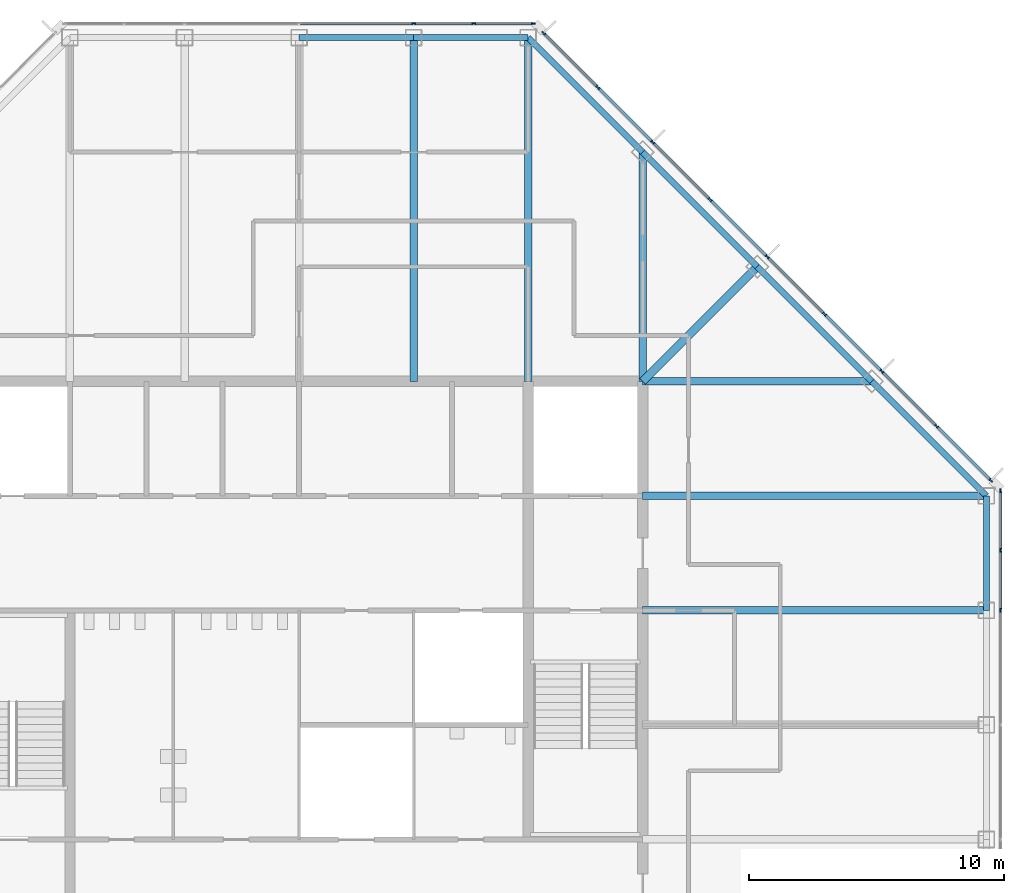
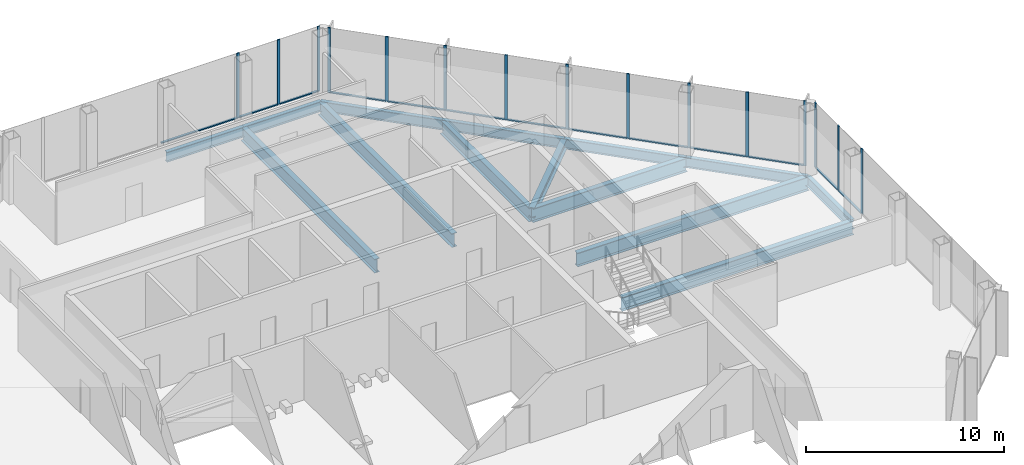
# One storey, part 7 of 13: 28 members, 14 beams, 3 elements without a shape of their own.
"""IFC4 building model written with IfcOpenShell, lengths in metres."""

from ifc_helpers import new_model, si_unit, direction, frame, origin, origin_2d, place, context, subcontext, project, spatial, rectangle, i_section, extrude, material, material_profile, profile_set, type_object, element, aggregate, save


model = new_model("IFC4")

# Units and contexts
model_context = context("Model", 3, precision=1e-05, world=origin(), true_north=direction((0.0, 1.0)))
body_context = subcontext(model_context, "Body", "Model", "MODEL_VIEW")
ifc_project = project(units=[si_unit("LENGTHUNIT", "METRE"), si_unit("AREAUNIT", "SQUARE_METRE"), si_unit("VOLUMEUNIT", "CUBIC_METRE"), si_unit("PLANEANGLEUNIT", "RADIAN"), si_unit("MASSUNIT", "GRAM", prefix="KILO")], contexts=[model_context])

# Site, building, storey
site_placement = place(None, origin())
site = spatial("IfcSite", under=ifc_project, at=site_placement, CompositionType="ELEMENT")
building_placement = place(site_placement, origin())
building = spatial("IfcBuilding", under=site, at=building_placement, Name="Corais Broadcast Tower", CompositionType="ELEMENT")
storey_placement = place(building_placement, frame((0.0, 0.0, 242.60009765625)))
storey = spatial("IfcBuildingStorey", under=building, at=storey_placement, Name="L56", CompositionType="ELEMENT", Elevation=242.60009765625)

# Beams
ifc_material_1 = material(Name="Steel ASTM A572 Grade 50", Category="steel")
ifc_material_profile_1 = material_profile(ifc_material_1, i_section(OverallWidth=0.323974609375, OverallDepth=0.611083984375, WebThickness=0.0126953125, FlangeThickness=0.01904296875, at=origin_2d()), Name="W610x155")
ifc_profile_set_1 = profile_set([ifc_material_profile_1], Name="Steel ASTM A572 Grade 50")
beam_type_1 = type_object("IfcBeamType", Name="Corner diagonal W610x155", PredefinedType="BEAM", material=ifc_profile_set_1)
beam_1_placement = place(storey_placement, frame((45.0, 45.0, -0.465576171875), z_axis=(-0.707106781187, -0.707106781187, 0.0), x_axis=(0.707106781187, -0.707106781187, 0.0)))
element("IfcBeam", 1, at=beam_1_placement, inside=storey, type_object=beam_type_1, Name="B6 L/13 to K/12", PredefinedType="BEAM", context=body_context, shape_type="SweptSolid", body=[
    extrude(i_section(OverallWidth=0.323974609375, OverallDepth=0.611083984375, WebThickness=0.0126953125, FlangeThickness=0.01904296875, at=origin_2d()), origin(), (0.0, 0.0, 1.0), 6.364013671875),
])
ifc_material_2 = material(Name="Steel ASTM A572 Grade 50", Category="steel")
ifc_material_profile_2 = material_profile(ifc_material_2, i_section(OverallWidth=0.2939453125, OverallDepth=0.85107421875, WebThickness=0.01611328125, FlangeThickness=0.02685546875, at=origin_2d()), Name="W840x226")
ifc_profile_set_2 = profile_set([ifc_material_profile_2], Name="Steel ASTM A572 Grade 50")
beam_type_2 = type_object("IfcBeamType", Name="Floor beam W840x226", PredefinedType="BEAM", material=ifc_profile_set_2)
for number, where, z_axis, x_axis, name in (
    (2, (31.5, 54.0, -0.585693359375), (0.0, -1.0, 0.0), (1.0, 0.0, 0.0), "B1 N/10 to K/10"),
    (3, (36.0, 54.0, -0.585693359375), (0.0, -1.0, 0.0), (1.0, 0.0, 0.0), "B1 N/11 to K/11"),
):
    element("IfcBeam", number, at=place(storey_placement, frame(where, z_axis=z_axis, x_axis=x_axis)), inside=storey, type_object=beam_type_2, Name=name, PredefinedType="BEAM", context=body_context, shape_type="SweptSolid", body=[
        extrude(i_section(OverallWidth=0.2939453125, OverallDepth=0.85107421875, WebThickness=0.01611328125, FlangeThickness=0.02685546875, at=origin_2d()), origin(), (0.0, 0.0, 1.0), 13.5),
    ])
for number, where, z_axis, x_axis, name in (
    (4, (40.5, 49.5, -0.585693359375), (0.0, -1.0, 0.0), (1.0, 0.0, 0.0), "B1 M/12 to K/12"),
    (5, (49.5, 40.5, -0.585693359375), (-1.0, 0.0, 0.0), (0.0, -1.0, 0.0), "B1 K/14 to K/12"),
):
    element("IfcBeam", number, at=place(storey_placement, frame(where, z_axis=z_axis, x_axis=x_axis)), inside=storey, type_object=beam_type_2, Name=name, PredefinedType="BEAM", context=body_context, shape_type="SweptSolid", body=[
        extrude(i_section(OverallWidth=0.2939453125, OverallDepth=0.85107421875, WebThickness=0.01611328125, FlangeThickness=0.02685546875, at=origin_2d()), origin(), (0.0, 0.0, 1.0), 9.0),
    ])
for number, where, z_axis, x_axis, name in (
    (6, (54.0, 31.5, -0.585693359375), (-1.0, 0.0, 0.0), (0.0, -1.0, 0.0), "B1 H/15 to H/12"),
    (7, (54.0, 36.0, -0.585693359375), (-1.0, 0.0, 0.0), (0.0, -1.0, 0.0), "B1 J/15 to J/12"),
):
    element("IfcBeam", number, at=place(storey_placement, frame(where, z_axis=z_axis, x_axis=x_axis)), inside=storey, type_object=beam_type_2, Name=name, PredefinedType="BEAM", context=body_context, shape_type="SweptSolid", body=[
        extrude(i_section(OverallWidth=0.2939453125, OverallDepth=0.85107421875, WebThickness=0.01611328125, FlangeThickness=0.02685546875, at=origin_2d()), origin(), (0.0, 0.0, 1.0), 13.5),
    ])

# Curtain wall, members
ifc_material_3 = material(Name="Aluminium and glass", Category="aluminium")
curtain_wall_type = type_object("IfcCurtainWallType", Name="Unitised fritted curtain wall CW3", PredefinedType="NOTDEFINED", material=ifc_material_3)
curtain_wall_1_placement = place(storey_placement, origin())
curtain_wall_1 = element("IfcCurtainWall", 8, at=curtain_wall_1_placement, inside=storey, type_object=curtain_wall_type, Name="CW3 curtain wall L56 4", PredefinedType="NOTDEFINED")
ifc_material_4 = material(Name="Aluminium 6063-T6", Category="aluminium")
ifc_material_profile_3 = material_profile(ifc_material_4, rectangle(XDim=0.06494140625, YDim=0.159912109375, at=origin_2d()), Name="Mullion CW3 65x160")
ifc_profile_set_3 = profile_set([ifc_material_profile_3], Name="Aluminium 6063-T6")
member_type_1 = type_object("IfcMemberType", Name="Mullion CW3 65x160", PredefinedType="MULLION", material=ifc_profile_set_3)
member_1_placement = place(storey_placement, frame((31.5, 54.550048828125, 0.0), z_axis=(0.0, 0.0, 1.0), x_axis=(0.0, 1.0, 0.0)))
member_1 = element("IfcMember", 9, at=member_1_placement, type_object=member_type_1, Name="CW3 mullion 5", PredefinedType="MULLION", context=body_context, shape_type="SweptSolid", body=[
    extrude(rectangle(XDim=0.06494140625, YDim=0.159912109375, at=origin_2d()), origin(), (0.0, 0.0, 1.0), 4.0),
])
member_2_placement = place(storey_placement, frame((33.864013671875, 54.550048828125, 0.0), z_axis=(0.0, 0.0, 1.0), x_axis=(0.0, 1.0, 0.0)))
member_2 = element("IfcMember", 10, at=member_2_placement, type_object=member_type_1, Name="CW3 mullion 6", PredefinedType="MULLION", context=body_context, shape_type="SweptSolid", body=[
    extrude(rectangle(XDim=0.06494140625, YDim=0.159912109375, at=origin_2d()), origin(), (0.0, 0.0, 1.0), 4.0),
])
member_3_placement = place(storey_placement, frame((36.1953125, 54.550048828125, 0.0), z_axis=(0.0, 0.0, 1.0), x_axis=(0.0, 1.0, 0.0)))
member_3 = element("IfcMember", 11, at=member_3_placement, type_object=member_type_1, Name="CW3 mullion 7", PredefinedType="MULLION", context=body_context, shape_type="SweptSolid", body=[
    extrude(rectangle(XDim=0.06494140625, YDim=0.159912109375, at=origin_2d()), origin(), (0.0, 0.0, 1.0), 4.0),
])

curtain_wall_2_placement = place(storey_placement, origin())
curtain_wall_2 = element("IfcCurtainWall", 12, at=curtain_wall_2_placement, inside=storey, type_object=curtain_wall_type, Name="CW3 curtain wall L56 5", PredefinedType="NOTDEFINED")
member_4_placement = place(storey_placement, frame((36.6044921875, 54.17333984375, 0.0), z_axis=(0.0, 0.0, 1.0), x_axis=(0.707106781187, 0.707106781187, 0.0)))
member_4 = element("IfcMember", 13, at=member_4_placement, type_object=member_type_1, Name="CW3 mullion 1", PredefinedType="MULLION", context=body_context, shape_type="SweptSolid", body=[
    extrude(rectangle(XDim=0.06494140625, YDim=0.159912109375, at=origin_2d()), origin(), (0.0, 0.0, 1.0), 4.0),
])
member_5_placement = place(storey_placement, frame((38.735107421875, 52.042724609375, 0.0), z_axis=(0.0, 0.0, 1.0), x_axis=(0.707106781187, 0.707106781187, 0.0)))
member_5 = element("IfcMember", 14, at=member_5_placement, type_object=member_type_1, Name="CW3 mullion 2", PredefinedType="MULLION", context=body_context, shape_type="SweptSolid", body=[
    extrude(rectangle(XDim=0.06494140625, YDim=0.159912109375, at=origin_2d()), origin(), (0.0, 0.0, 1.0), 4.0),
])
member_6_placement = place(storey_placement, frame((40.888916015625, 49.888916015625, 0.0), z_axis=(0.0, 0.0, 1.0), x_axis=(0.707106781187, 0.707106781187, 0.0)))
member_6 = element("IfcMember", 15, at=member_6_placement, type_object=member_type_1, Name="CW3 mullion 3", PredefinedType="MULLION", context=body_context, shape_type="SweptSolid", body=[
    extrude(rectangle(XDim=0.06494140625, YDim=0.159912109375, at=origin_2d()), origin(), (0.0, 0.0, 1.0), 4.0),
])
member_7_placement = place(storey_placement, frame((43.138916015625, 47.638916015625, 0.0), z_axis=(0.0, 0.0, 1.0), x_axis=(0.707106781187, 0.707106781187, 0.0)))
member_7 = element("IfcMember", 16, at=member_7_placement, type_object=member_type_1, Name="CW3 mullion 4", PredefinedType="MULLION", context=body_context, shape_type="SweptSolid", body=[
    extrude(rectangle(XDim=0.06494140625, YDim=0.159912109375, at=origin_2d()), origin(), (0.0, 0.0, 1.0), 4.0),
])
member_8_placement = place(storey_placement, frame((45.388916015625, 45.388916015625, 0.0), z_axis=(0.0, 0.0, 1.0), x_axis=(0.707106781187, 0.707106781187, 0.0)))
member_8 = element("IfcMember", 17, at=member_8_placement, type_object=member_type_1, Name="CW3 mullion 5", PredefinedType="MULLION", context=body_context, shape_type="SweptSolid", body=[
    extrude(rectangle(XDim=0.06494140625, YDim=0.159912109375, at=origin_2d()), origin(), (0.0, 0.0, 1.0), 4.0),
])
member_9_placement = place(storey_placement, frame((47.638916015625, 43.138916015625, 0.0), z_axis=(0.0, 0.0, 1.0), x_axis=(0.707106781187, 0.707106781187, 0.0)))
member_9 = element("IfcMember", 18, at=member_9_placement, type_object=member_type_1, Name="CW3 mullion 6", PredefinedType="MULLION", context=body_context, shape_type="SweptSolid", body=[
    extrude(rectangle(XDim=0.06494140625, YDim=0.159912109375, at=origin_2d()), origin(), (0.0, 0.0, 1.0), 4.0),
])
member_10_placement = place(storey_placement, frame((49.888916015625, 40.888916015625, 0.0), z_axis=(0.0, 0.0, 1.0), x_axis=(0.707106781187, 0.707106781187, 0.0)))
member_10 = element("IfcMember", 19, at=member_10_placement, type_object=member_type_1, Name="CW3 mullion 7", PredefinedType="MULLION", context=body_context, shape_type="SweptSolid", body=[
    extrude(rectangle(XDim=0.06494140625, YDim=0.159912109375, at=origin_2d()), origin(), (0.0, 0.0, 1.0), 4.0),
])
member_11_placement = place(storey_placement, frame((52.042724609375, 38.735107421875, 0.0), z_axis=(0.0, 0.0, 1.0), x_axis=(0.707106781187, 0.707106781187, 0.0)))
member_11 = element("IfcMember", 20, at=member_11_placement, type_object=member_type_1, Name="CW3 mullion 8", PredefinedType="MULLION", context=body_context, shape_type="SweptSolid", body=[
    extrude(rectangle(XDim=0.06494140625, YDim=0.159912109375, at=origin_2d()), origin(), (0.0, 0.0, 1.0), 4.0),
])
member_12_placement = place(storey_placement, frame((54.17333984375, 36.6044921875, 0.0), z_axis=(0.0, 0.0, 1.0), x_axis=(0.707106781187, 0.707106781187, 0.0)))
member_12 = element("IfcMember", 21, at=member_12_placement, type_object=member_type_1, Name="CW3 mullion 9", PredefinedType="MULLION", context=body_context, shape_type="SweptSolid", body=[
    extrude(rectangle(XDim=0.06494140625, YDim=0.159912109375, at=origin_2d()), origin(), (0.0, 0.0, 1.0), 4.0),
])

curtain_wall_3_placement = place(storey_placement, origin())
curtain_wall_3 = element("IfcCurtainWall", 22, at=curtain_wall_3_placement, inside=storey, type_object=curtain_wall_type, Name="CW3 curtain wall L56 6", PredefinedType="NOTDEFINED")
member_13_placement = place(storey_placement, frame((54.550048828125, 36.1953125, 0.0), z_axis=(0.0, 0.0, 1.0), x_axis=(1.0, 0.0, 0.0)))
member_13 = element("IfcMember", 23, at=member_13_placement, type_object=member_type_1, Name="CW3 mullion 1", PredefinedType="MULLION", context=body_context, shape_type="SweptSolid", body=[
    extrude(rectangle(XDim=0.06494140625, YDim=0.159912109375, at=origin_2d()), origin(), (0.0, 0.0, 1.0), 4.0),
])
member_14_placement = place(storey_placement, frame((54.550048828125, 33.864013671875, 0.0), z_axis=(0.0, 0.0, 1.0), x_axis=(1.0, 0.0, 0.0)))
member_14 = element("IfcMember", 24, at=member_14_placement, type_object=member_type_1, Name="CW3 mullion 2", PredefinedType="MULLION", context=body_context, shape_type="SweptSolid", body=[
    extrude(rectangle(XDim=0.06494140625, YDim=0.159912109375, at=origin_2d()), origin(), (0.0, 0.0, 1.0), 4.0),
])
member_15_placement = place(storey_placement, frame((54.550048828125, 31.5, 0.0), z_axis=(0.0, 0.0, 1.0), x_axis=(1.0, 0.0, 0.0)))
member_15 = element("IfcMember", 25, at=member_15_placement, type_object=member_type_1, Name="CW3 mullion 3", PredefinedType="MULLION", context=body_context, shape_type="SweptSolid", body=[
    extrude(rectangle(XDim=0.06494140625, YDim=0.159912109375, at=origin_2d()), origin(), (0.0, 0.0, 1.0), 4.0),
])

# Beams
ifc_material_5 = material(Name="Steel ASTM A572 Grade 50", Category="steel")
ifc_material_profile_4 = material_profile(ifc_material_5, i_section(OverallWidth=0.22998046875, OverallDepth=0.616943359375, WebThickness=0.01318359375, FlangeThickness=0.022216796875, at=origin_2d()), Name="W610x140")
ifc_profile_set_4 = profile_set([ifc_material_profile_4], Name="Steel ASTM A572 Grade 50")
beam_type_3 = type_object("IfcBeamType", Name="Spandrel W610x140", PredefinedType="BEAM", material=ifc_profile_set_4)
for number, where, z_axis, x_axis, name in (
    (26, (31.5, 54.0, -0.468505859375), (-1.0, 0.0, 0.0), (0.0, -1.0, 0.0), "SB3 N/10 to N/9"),
    (27, (36.0, 54.0, -0.468505859375), (-1.0, 0.0, 0.0), (0.0, -1.0, 0.0), "SB3 N/11 to N/10"),
):
    element("IfcBeam", number, at=place(storey_placement, frame(where, z_axis=z_axis, x_axis=x_axis)), inside=storey, type_object=beam_type_3, Name=name, PredefinedType="BEAM", context=body_context, shape_type="SweptSolid", body=[
        extrude(i_section(OverallWidth=0.22998046875, OverallDepth=0.616943359375, WebThickness=0.01318359375, FlangeThickness=0.022216796875, at=origin_2d()), origin(), (0.0, 0.0, 1.0), 4.5),
    ])
for number, where, z_axis, x_axis, name in (
    (28, (40.5, 49.5, -0.468505859375), (-0.707106781187, 0.707106781187, 0.0), (-0.707106781187, -0.707106781187, 0.0), "SB3 M/12 to N/11"),
    (29, (45.0, 45.0, -0.468505859375), (-0.707106781187, 0.707106781187, 0.0), (-0.707106781187, -0.707106781187, 0.0), "SB3 L/13 to M/12"),
    (30, (49.5, 40.5, -0.468505859375), (-0.707106781187, 0.707106781187, 0.0), (-0.707106781187, -0.707106781187, 0.0), "SB3 K/14 to L/13"),
):
    element("IfcBeam", number, at=place(storey_placement, frame(where, z_axis=z_axis, x_axis=x_axis)), inside=storey, type_object=beam_type_3, Name=name, PredefinedType="BEAM", context=body_context, shape_type="SweptSolid", body=[
        extrude(i_section(OverallWidth=0.22998046875, OverallDepth=0.616943359375, WebThickness=0.01318359375, FlangeThickness=0.022216796875, at=origin_2d()), origin(), (0.0, 0.0, 1.0), 6.364013671875),
    ])
beam_2_placement = place(storey_placement, frame((54.0, 31.5, -0.468505859375), z_axis=(0.0, 1.0, 0.0), x_axis=(-1.0, 0.0, 0.0)))
element("IfcBeam", 31, at=beam_2_placement, inside=storey, type_object=beam_type_3, Name="SB3 H/15 to J/15", PredefinedType="BEAM", context=body_context, shape_type="SweptSolid", body=[
    extrude(i_section(OverallWidth=0.22998046875, OverallDepth=0.616943359375, WebThickness=0.01318359375, FlangeThickness=0.022216796875, at=origin_2d()), origin(), (0.0, 0.0, 1.0), 4.5),
])
beam_3_placement = place(storey_placement, frame((54.0, 36.0, -0.468505859375), z_axis=(-0.707106781187, 0.707106781187, 0.0), x_axis=(-0.707106781187, -0.707106781187, 0.0)))
element("IfcBeam", 32, at=beam_3_placement, inside=storey, type_object=beam_type_3, Name="SB3 J/15 to K/14", PredefinedType="BEAM", context=body_context, shape_type="SweptSolid", body=[
    extrude(i_section(OverallWidth=0.22998046875, OverallDepth=0.616943359375, WebThickness=0.01318359375, FlangeThickness=0.022216796875, at=origin_2d()), origin(), (0.0, 0.0, 1.0), 6.364013671875),
])

# Member
ifc_material_6 = material(Name="Aluminium 6063-T6", Category="aluminium")
ifc_material_profile_5 = material_profile(ifc_material_6, rectangle(XDim=0.1201171875, YDim=0.06494140625, at=origin_2d()), Name="Transom CW3 65x120")
ifc_profile_set_5 = profile_set([ifc_material_profile_5], Name="Aluminium 6063-T6")
member_type_2 = type_object("IfcMemberType", Name="Transom CW3 65x120", PredefinedType="USERDEFINED", material=ifc_profile_set_5)
member_16_placement = place(storey_placement, frame((27.032470703125, 54.550048828125, 0.032470703125), z_axis=(1.0, 0.0, 0.0), x_axis=(0.0, 1.0, 0.0)))
member_16 = element("IfcMember", 33, at=member_16_placement, type_object=member_type_2, Name="CW3 transom 4.1", ObjectType="TRANSOM", PredefinedType="USERDEFINED", context=body_context, shape_type="SweptSolid", body=[
    extrude(rectangle(XDim=0.1201171875, YDim=0.06494140625, at=origin_2d()), origin(), (0.0, 0.0, 1.0), 4.43505859375),
])

member_17_placement = place(storey_placement, frame((31.532470703125, 54.550048828125, 0.032470703125), z_axis=(1.0, 0.0, 0.0), x_axis=(0.0, 1.0, 0.0)))
member_17 = element("IfcMember", 34, at=member_17_placement, type_object=member_type_2, Name="CW3 transom 5.1", ObjectType="TRANSOM", PredefinedType="USERDEFINED", context=body_context, shape_type="SweptSolid", body=[
    extrude(rectangle(XDim=0.1201171875, YDim=0.06494140625, at=origin_2d()), origin(), (0.0, 0.0, 1.0), 2.298828125),
])

member_18_placement = place(storey_placement, frame((33.896484375, 54.550048828125, 0.032470703125), z_axis=(1.0, 0.0, 0.0), x_axis=(0.0, 1.0, 0.0)))
member_18 = element("IfcMember", 35, at=member_18_placement, type_object=member_type_2, Name="CW3 transom 6.1", ObjectType="TRANSOM", PredefinedType="USERDEFINED", context=body_context, shape_type="SweptSolid", body=[
    extrude(rectangle(XDim=0.1201171875, YDim=0.06494140625, at=origin_2d()), origin(), (0.0, 0.0, 1.0), 2.266357421875),
])

aggregate(curtain_wall_1, [member_1, member_2, member_3, member_16, member_17, member_18])

member_19_placement = place(storey_placement, frame((36.62744140625, 54.150390625, 0.032470703125), z_axis=(0.707106781187, -0.707106781187, 0.0), x_axis=(0.707106781187, 0.707106781187, 0.0)))
member_19 = element("IfcMember", 36, at=member_19_placement, type_object=member_type_2, Name="CW3 transom 1.1", ObjectType="TRANSOM", PredefinedType="USERDEFINED", context=body_context, shape_type="SweptSolid", body=[
    extrude(rectangle(XDim=0.1201171875, YDim=0.06494140625, at=origin_2d()), origin(), (0.0, 0.0, 1.0), 2.9482421875),
])

member_20_placement = place(storey_placement, frame((38.758056640625, 52.019775390625, 0.032470703125), z_axis=(0.707106781187, -0.707106781187, 0.0), x_axis=(0.707106781187, 0.707106781187, 0.0)))
member_20 = element("IfcMember", 37, at=member_20_placement, type_object=member_type_2, Name="CW3 transom 2.1", ObjectType="TRANSOM", PredefinedType="USERDEFINED", context=body_context, shape_type="SweptSolid", body=[
    extrude(rectangle(XDim=0.1201171875, YDim=0.06494140625, at=origin_2d()), origin(), (0.0, 0.0, 1.0), 2.98095703125),
])

member_21_placement = place(storey_placement, frame((40.911865234375, 49.865966796875, 0.032470703125), z_axis=(0.707106781187, -0.707106781187, 0.0), x_axis=(0.707106781187, 0.707106781187, 0.0)))
member_21 = element("IfcMember", 38, at=member_21_placement, type_object=member_type_2, Name="CW3 transom 3.1", ObjectType="TRANSOM", PredefinedType="USERDEFINED", context=body_context, shape_type="SweptSolid", body=[
    extrude(rectangle(XDim=0.1201171875, YDim=0.06494140625, at=origin_2d()), origin(), (0.0, 0.0, 1.0), 3.1171875),
])

member_22_placement = place(storey_placement, frame((43.161865234375, 47.615966796875, 0.032470703125), z_axis=(0.707106781187, -0.707106781187, 0.0), x_axis=(0.707106781187, 0.707106781187, 0.0)))
member_22 = element("IfcMember", 39, at=member_22_placement, type_object=member_type_2, Name="CW3 transom 4.1", ObjectType="TRANSOM", PredefinedType="USERDEFINED", context=body_context, shape_type="SweptSolid", body=[
    extrude(rectangle(XDim=0.1201171875, YDim=0.06494140625, at=origin_2d()), origin(), (0.0, 0.0, 1.0), 3.1171875),
])

member_23_placement = place(storey_placement, frame((45.411865234375, 45.365966796875, 0.032470703125), z_axis=(0.707106781187, -0.707106781187, 0.0), x_axis=(0.707106781187, 0.707106781187, 0.0)))
member_23 = element("IfcMember", 40, at=member_23_placement, type_object=member_type_2, Name="CW3 transom 5.1", ObjectType="TRANSOM", PredefinedType="USERDEFINED", context=body_context, shape_type="SweptSolid", body=[
    extrude(rectangle(XDim=0.1201171875, YDim=0.06494140625, at=origin_2d()), origin(), (0.0, 0.0, 1.0), 3.1171875),
])

member_24_placement = place(storey_placement, frame((47.661865234375, 43.115966796875, 0.032470703125), z_axis=(0.707106781187, -0.707106781187, 0.0), x_axis=(0.707106781187, 0.707106781187, 0.0)))
member_24 = element("IfcMember", 41, at=member_24_placement, type_object=member_type_2, Name="CW3 transom 6.1", ObjectType="TRANSOM", PredefinedType="USERDEFINED", context=body_context, shape_type="SweptSolid", body=[
    extrude(rectangle(XDim=0.1201171875, YDim=0.06494140625, at=origin_2d()), origin(), (0.0, 0.0, 1.0), 3.1171875),
])

member_25_placement = place(storey_placement, frame((49.911865234375, 40.865966796875, 0.032470703125), z_axis=(0.707065828661, -0.70714773134, 0.0), x_axis=(0.70714773134, 0.707065828661, 0.0)))
member_25 = element("IfcMember", 42, at=member_25_placement, type_object=member_type_2, Name="CW3 transom 7.1", ObjectType="TRANSOM", PredefinedType="USERDEFINED", context=body_context, shape_type="SweptSolid", body=[
    extrude(rectangle(XDim=0.1201171875, YDim=0.06494140625, at=origin_2d()), origin(), (0.0, 0.0, 1.0), 2.98095703125),
])

member_26_placement = place(storey_placement, frame((52.065673828125, 38.712158203125, 0.032470703125), z_axis=(0.707106781187, -0.707106781187, 0.0), x_axis=(0.707106781187, 0.707106781187, 0.0)))
member_26 = element("IfcMember", 43, at=member_26_placement, type_object=member_type_2, Name="CW3 transom 8.1", ObjectType="TRANSOM", PredefinedType="USERDEFINED", context=body_context, shape_type="SweptSolid", body=[
    extrude(rectangle(XDim=0.1201171875, YDim=0.06494140625, at=origin_2d()), origin(), (0.0, 0.0, 1.0), 2.9482421875),
])

aggregate(curtain_wall_2, [member_4, member_5, member_6, member_7, member_8, member_9, member_10, member_11, member_12, member_19, member_20, member_21, member_22, member_23, member_24, member_25, member_26])

member_27_placement = place(storey_placement, frame((54.550048828125, 36.162841796875, 0.032470703125), z_axis=(0.0, -1.0, 0.0), x_axis=(1.0, 0.0, 0.0)))
member_27 = element("IfcMember", 44, at=member_27_placement, type_object=member_type_2, Name="CW3 transom 1.1", ObjectType="TRANSOM", PredefinedType="USERDEFINED", context=body_context, shape_type="SweptSolid", body=[
    extrude(rectangle(XDim=0.1201171875, YDim=0.06494140625, at=origin_2d()), origin(), (0.0, 0.0, 1.0), 2.266357421875),
])

member_28_placement = place(storey_placement, frame((54.550048828125, 33.831298828125, 0.032470703125), z_axis=(0.0, -1.0, 0.0), x_axis=(1.0, 0.0, 0.0)))
member_28 = element("IfcMember", 45, at=member_28_placement, type_object=member_type_2, Name="CW3 transom 2.1", ObjectType="TRANSOM", PredefinedType="USERDEFINED", context=body_context, shape_type="SweptSolid", body=[
    extrude(rectangle(XDim=0.1201171875, YDim=0.06494140625, at=origin_2d()), origin(), (0.0, 0.0, 1.0), 2.298828125),
])

aggregate(curtain_wall_3, [member_13, member_14, member_15, member_27, member_28])

save(model, "model.ifc")
